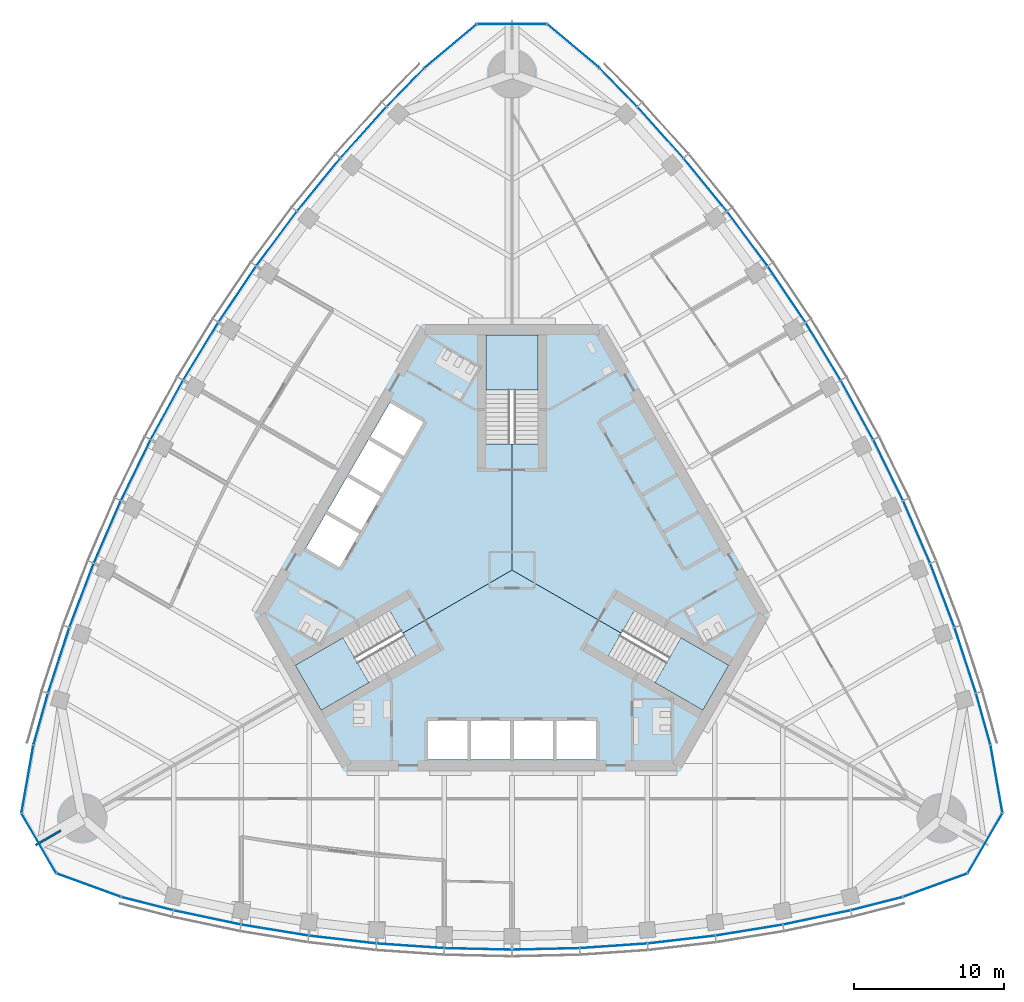
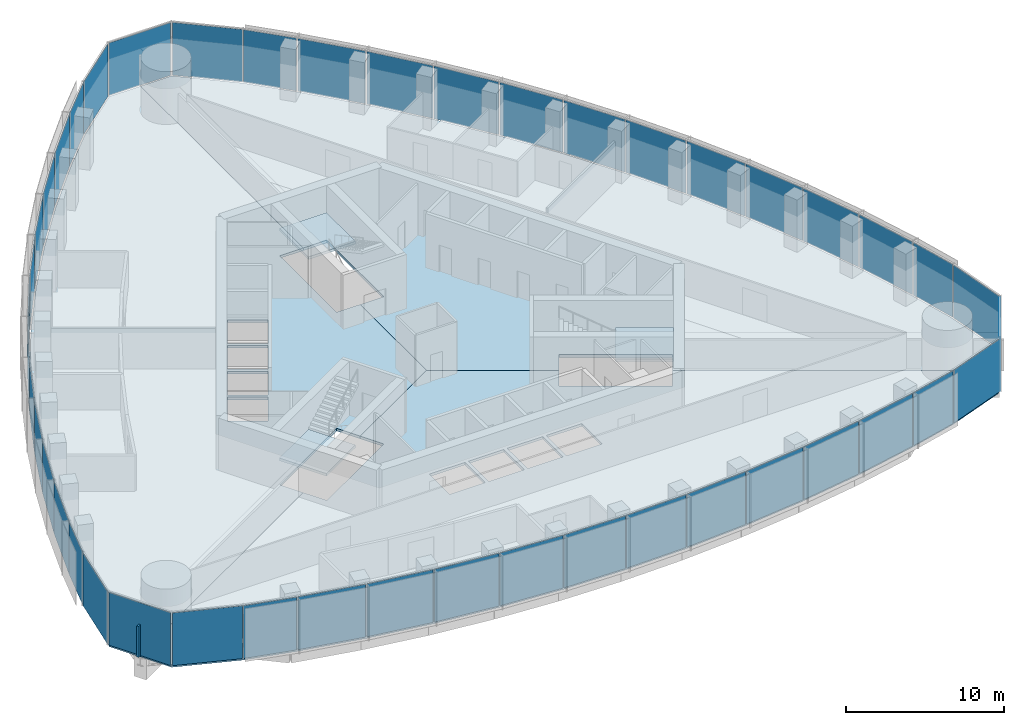
# One storey, part 10 of 19: 45 plates, 6 slabs, 1 wall, 9 elements without a shape of their own.
"""IFC4 building model written with IfcOpenShell, lengths in metres."""

from ifc_helpers import new_model, si_unit, direction, frame, frame_2d, origin, origin_2d, place, context, subcontext, project, spatial, polyline, rectangle, outline, extrude, material, layer, layer_set, type_object, element, aggregate, save


model = new_model("IFC4")

# Units and contexts
model_context = context("Model", 3, precision=1e-05, world=origin(), true_north=direction((0.0, 1.0)))
body_context = subcontext(model_context, "Body", "Model", "MODEL_VIEW")
ifc_project = project(units=[si_unit("LENGTHUNIT", "METRE"), si_unit("AREAUNIT", "SQUARE_METRE"), si_unit("VOLUMEUNIT", "CUBIC_METRE"), si_unit("PLANEANGLEUNIT", "RADIAN"), si_unit("MASSUNIT", "GRAM", prefix="KILO")], contexts=[model_context])

# Site, building, storey
site_placement = place(None, origin())
site = spatial("IfcSite", under=ifc_project, at=site_placement, CompositionType="ELEMENT")
building_placement = place(site_placement, origin())
building = spatial("IfcBuilding", under=site, at=building_placement, Name="Trefoil Bronze Tower", CompositionType="ELEMENT")
storey_placement = place(building_placement, frame((0.0, 0.0, 227.5)))
storey = spatial("IfcBuildingStorey", under=building, at=storey_placement, Name="L52", CompositionType="ELEMENT", Elevation=227.5)

# Curtain wall, plates
ifc_material_1 = material(Name="Tinted solar-control glass", Category="glass")
curtain_wall_type_1 = type_object("IfcCurtainWallType", Name="Bronze office curtain wall", PredefinedType="USERDEFINED", material=ifc_material_1)
curtain_wall_1_placement = place(storey_placement, origin())
curtain_wall_1 = element("IfcCurtainWall", 1, at=curtain_wall_1_placement, inside=storey, type_object=curtain_wall_type_1, Name="CW-A L52 F1", ObjectType="CURTAIN WALL", PredefinedType="USERDEFINED")
ifc_material_2 = material(Name="Tinted solar-control glass", Category="glass")
ifc_layer_1 = layer(ifc_material_2, 0.030029296875)
ifc_layer_set_1 = layer_set([ifc_layer_1], Name="Bronze office curtain wall glass panel")
plate_type_1 = type_object("IfcPlateType", Name="Bronze office curtain wall glass panel", PredefinedType="CURTAIN_PANEL", material=ifc_layer_set_1)
plate_1_placement = place(storey_placement, frame((-24.251220703125, -22.188232421875, 0.0), z_axis=(0.0, 0.0, 1.0), x_axis=(0.968934035393, -0.247319297786, 0.0)))
plate_1 = element("IfcPlate", 2, at=plate_1_placement, type_object=plate_type_1, Name="CW-A L52 F1 panel 1", PredefinedType="CURTAIN_PANEL", context=body_context, shape_type="SweptSolid", body=[
    extrude(rectangle(XDim=3.483642578125, YDim=0.030029296875, at=origin_2d()), origin(), (0.0, 0.0, 1.0), 4.080078125),
])
plate_2_placement = place(storey_placement, frame((-20.270751953125, -23.105224609375, 0.0), z_axis=(0.0, 0.0, 1.0), x_axis=(0.978394335897, -0.20674748725, 0.0)))
plate_2 = element("IfcPlate", 3, at=plate_2_placement, type_object=plate_type_1, Name="CW-A L52 F1 panel 2", PredefinedType="CURTAIN_PANEL", context=body_context, shape_type="SweptSolid", body=[
    extrude(rectangle(XDim=4.519287109375, YDim=0.030029296875, at=origin_2d()), origin(), (0.0, 0.0, 1.0), 4.080078125),
])
plate_3_placement = place(storey_placement, frame((-15.76611328125, -23.9482421875, 0.0), z_axis=(0.0, 0.0, 1.0), x_axis=(0.986986549528, -0.160802832848, 0.0)))
plate_3 = element("IfcPlate", 4, at=plate_3_placement, type_object=plate_type_1, Name="CW-A L52 F1 panel 3", PredefinedType="CURTAIN_PANEL", context=body_context, shape_type="SweptSolid", body=[
    extrude(rectangle(XDim=4.479248046875, YDim=0.030029296875, at=origin_2d()), origin(), (0.0, 0.0, 1.0), 4.080078125),
])
plate_4_placement = place(storey_placement, frame((-11.261474609375, -24.57568359375, 0.0), z_axis=(0.0, 0.0, 1.0), x_axis=(0.993381831741, -0.114858767043, 0.0)))
plate_4 = element("IfcPlate", 5, at=plate_4_placement, type_object=plate_type_1, Name="CW-A L52 F1 panel 4", PredefinedType="CURTAIN_PANEL", context=body_context, shape_type="SweptSolid", body=[
    extrude(rectangle(XDim=4.449951171875, YDim=0.030029296875, at=origin_2d()), origin(), (0.0, 0.0, 1.0), 4.080078125),
])
plate_5_placement = place(storey_placement, frame((-6.7568359375, -24.991455078125, 0.0), z_axis=(0.0, 0.0, 1.0), x_axis=(0.99762252804, -0.068915103905, 0.0)))
plate_5 = element("IfcPlate", 6, at=plate_5_placement, type_object=plate_type_1, Name="CW-A L52 F1 panel 5", PredefinedType="CURTAIN_PANEL", context=body_context, shape_type="SweptSolid", body=[
    extrude(rectangle(XDim=4.4306640625, YDim=0.030029296875, at=origin_2d()), origin(), (0.0, 0.0, 1.0), 4.080078125),
])
plate_6_placement = place(storey_placement, frame((-2.252197265625, -25.198974609375, 0.0), z_axis=(0.0, 0.0, 1.0), x_axis=(0.999736116243, -0.022971675577, 0.0)))
plate_6 = element("IfcPlate", 7, at=plate_6_placement, type_object=plate_type_1, Name="CW-A L52 F1 panel 6", PredefinedType="CURTAIN_PANEL", context=body_context, shape_type="SweptSolid", body=[
    extrude(rectangle(XDim=4.421142578125, YDim=0.030029296875, at=origin_2d()), origin(), (0.0, 0.0, 1.0), 4.080078125),
])
plate_7_placement = place(storey_placement, frame((2.252197265625, -25.198974609375, 0.0), z_axis=(0.0, 0.0, 1.0), x_axis=(0.999736116243, 0.022971675577, 0.0)))
plate_7 = element("IfcPlate", 8, at=plate_7_placement, type_object=plate_type_1, Name="CW-A L52 F1 panel 7", PredefinedType="CURTAIN_PANEL", context=body_context, shape_type="SweptSolid", body=[
    extrude(rectangle(XDim=4.421142578125, YDim=0.030029296875, at=origin_2d()), origin(), (0.0, 0.0, 1.0), 4.080078125),
])
plate_8_placement = place(storey_placement, frame((6.7568359375, -24.991455078125, 0.0), z_axis=(0.0, 0.0, 1.0), x_axis=(0.99762252804, 0.068915103905, 0.0)))
plate_8 = element("IfcPlate", 9, at=plate_8_placement, type_object=plate_type_1, Name="CW-A L52 F1 panel 8", PredefinedType="CURTAIN_PANEL", context=body_context, shape_type="SweptSolid", body=[
    extrude(rectangle(XDim=4.4306640625, YDim=0.030029296875, at=origin_2d()), origin(), (0.0, 0.0, 1.0), 4.080078125),
])
plate_9_placement = place(storey_placement, frame((11.261474609375, -24.57568359375, 0.0), z_axis=(0.0, 0.0, 1.0), x_axis=(0.993381831741, 0.114858767043, 0.0)))
plate_9 = element("IfcPlate", 10, at=plate_9_placement, type_object=plate_type_1, Name="CW-A L52 F1 panel 9", PredefinedType="CURTAIN_PANEL", context=body_context, shape_type="SweptSolid", body=[
    extrude(rectangle(XDim=4.449951171875, YDim=0.030029296875, at=origin_2d()), origin(), (0.0, 0.0, 1.0), 4.080078125),
])
plate_10_placement = place(storey_placement, frame((15.76611328125, -23.9482421875, 0.0), z_axis=(0.0, 0.0, 1.0), x_axis=(0.986986549528, 0.160802832848, 0.0)))
plate_10 = element("IfcPlate", 11, at=plate_10_placement, type_object=plate_type_1, Name="CW-A L52 F1 panel 10", PredefinedType="CURTAIN_PANEL", context=body_context, shape_type="SweptSolid", body=[
    extrude(rectangle(XDim=4.479248046875, YDim=0.030029296875, at=origin_2d()), origin(), (0.0, 0.0, 1.0), 4.080078125),
])
plate_11_placement = place(storey_placement, frame((20.270751953125, -23.105224609375, 0.0), z_axis=(0.0, 0.0, 1.0), x_axis=(0.978394335897, 0.20674748725, 0.0)))
plate_11 = element("IfcPlate", 12, at=plate_11_placement, type_object=plate_type_1, Name="CW-A L52 F1 panel 11", PredefinedType="CURTAIN_PANEL", context=body_context, shape_type="SweptSolid", body=[
    extrude(rectangle(XDim=4.519287109375, YDim=0.030029296875, at=origin_2d()), origin(), (0.0, 0.0, 1.0), 4.080078125),
])
plate_12_placement = place(storey_placement, frame((24.251220703125, -22.188232421875, 0.0), z_axis=(0.0, 0.0, 1.0), x_axis=(0.968934035393, 0.247319297786, 0.0)))
plate_12 = element("IfcPlate", 13, at=plate_12_placement, type_object=plate_type_1, Name="CW-A L52 F1 panel 12", PredefinedType="CURTAIN_PANEL", context=body_context, shape_type="SweptSolid", body=[
    extrude(rectangle(XDim=3.483642578125, YDim=0.030029296875, at=origin_2d()), origin(), (0.0, 0.0, 1.0), 4.080078125),
])
aggregate(curtain_wall_1, [plate_1, plate_2, plate_3, plate_4, plate_5, plate_6, plate_7, plate_8, plate_9, plate_10, plate_11, plate_12])

curtain_wall_2_placement = place(storey_placement, origin())
curtain_wall_2 = element("IfcCurtainWall", 14, at=curtain_wall_2_placement, inside=storey, type_object=curtain_wall_type_1, Name="CW-A L52 F2", ObjectType="CURTAIN WALL", PredefinedType="USERDEFINED")
plate_13_placement = place(storey_placement, frame((31.341064453125, -9.907958984375, 0.0), z_axis=(0.0, 0.0, 1.0), x_axis=(-0.270282222968, 0.962781138134, 0.0)))
plate_13 = element("IfcPlate", 15, at=plate_13_placement, type_object=plate_type_1, Name="CW-A L52 F2 panel 1", PredefinedType="CURTAIN_PANEL", context=body_context, shape_type="SweptSolid", body=[
    extrude(rectangle(XDim=3.483642578125, YDim=0.030029296875, at=origin_2d()), origin(), (0.0, 0.0, 1.0), 4.080078125),
])
plate_14_placement = place(storey_placement, frame((30.14501953125, -6.002197265625, 0.0), z_axis=(0.0, 0.0, 1.0), x_axis=(-0.310148591821, 0.950688093431, 0.0)))
plate_14 = element("IfcPlate", 16, at=plate_14_placement, type_object=plate_type_1, Name="CW-A L52 F2 panel 2", PredefinedType="CURTAIN_PANEL", context=body_context, shape_type="SweptSolid", body=[
    extrude(rectangle(XDim=4.519287109375, YDim=0.030029296875, at=origin_2d()), origin(), (0.0, 0.0, 1.0), 4.080078125),
])
plate_15_placement = place(storey_placement, frame((28.622802734375, -1.6796875, 0.0), z_axis=(0.0, 0.0, 1.0), x_axis=(-0.354233936517, 0.935156841508, 0.0)))
plate_15 = element("IfcPlate", 17, at=plate_15_placement, type_object=plate_type_1, Name="CW-A L52 F2 panel 3", PredefinedType="CURTAIN_PANEL", context=body_context, shape_type="SweptSolid", body=[
    extrude(rectangle(XDim=4.479248046875, YDim=0.030029296875, at=origin_2d()), origin(), (0.0, 0.0, 1.0), 4.080078125),
])
plate_16_placement = place(storey_placement, frame((26.913818359375, 2.53515625, 0.0), z_axis=(0.0, 0.0, 1.0), x_axis=(-0.397220305764, 0.917723285467, 0.0)))
plate_16 = element("IfcPlate", 18, at=plate_16_placement, type_object=plate_type_1, Name="CW-A L52 F2 panel 4", PredefinedType="CURTAIN_PANEL", context=body_context, shape_type="SweptSolid", body=[
    extrude(rectangle(XDim=4.449951171875, YDim=0.030029296875, at=origin_2d()), origin(), (0.0, 0.0, 1.0), 4.080078125),
])
plate_17_placement = place(storey_placement, frame((25.021728515625, 6.64404296875, 0.0), z_axis=(0.0, 0.0, 1.0), x_axis=(-0.439129033334, 0.898424004623, 0.0)))
plate_17 = element("IfcPlate", 19, at=plate_17_placement, type_object=plate_type_1, Name="CW-A L52 F2 panel 5", PredefinedType="CURTAIN_PANEL", context=body_context, shape_type="SweptSolid", body=[
    extrude(rectangle(XDim=4.4306640625, YDim=0.030029296875, at=origin_2d()), origin(), (0.0, 0.0, 1.0), 4.080078125),
])
plate_18_placement = place(storey_placement, frame((22.948974609375, 10.64892578125, 0.0), z_axis=(0.0, 0.0, 1.0), x_axis=(-0.479974003504, 0.877282711536, 0.0)))
plate_18 = element("IfcPlate", 20, at=plate_18_placement, type_object=plate_type_1, Name="CW-A L52 F2 panel 6", PredefinedType="CURTAIN_PANEL", context=body_context, shape_type="SweptSolid", body=[
    extrude(rectangle(XDim=4.421142578125, YDim=0.030029296875, at=origin_2d()), origin(), (0.0, 0.0, 1.0), 4.080078125),
])
plate_19_placement = place(storey_placement, frame((20.69677734375, 14.550048828125, 0.0), z_axis=(0.0, 0.0, 1.0), x_axis=(-0.519762112739, 0.854311035959, 0.0)))
plate_19 = element("IfcPlate", 21, at=plate_19_placement, type_object=plate_type_1, Name="CW-A L52 F2 panel 7", PredefinedType="CURTAIN_PANEL", context=body_context, shape_type="SweptSolid", body=[
    extrude(rectangle(XDim=4.421142578125, YDim=0.030029296875, at=origin_2d()), origin(), (0.0, 0.0, 1.0), 4.080078125),
])
plate_20_placement = place(storey_placement, frame((18.264892578125, 18.347412109375, 0.0), z_axis=(0.0, 0.0, 1.0), x_axis=(-0.558493494706, 0.829508900718, 0.0)))
plate_20 = element("IfcPlate", 22, at=plate_20_placement, type_object=plate_type_1, Name="CW-A L52 F2 panel 8", PredefinedType="CURTAIN_PANEL", context=body_context, shape_type="SweptSolid", body=[
    extrude(rectangle(XDim=4.4306640625, YDim=0.030029296875, at=origin_2d()), origin(), (0.0, 0.0, 1.0), 4.080078125),
])
plate_21_placement = place(storey_placement, frame((15.65234375, 22.04052734375, 0.0), z_axis=(0.0, 0.0, 1.0), x_axis=(-0.596161525977, 0.802864518425, 0.0)))
plate_21 = element("IfcPlate", 23, at=plate_21_placement, type_object=plate_type_1, Name="CW-A L52 F2 panel 9", PredefinedType="CURTAIN_PANEL", context=body_context, shape_type="SweptSolid", body=[
    extrude(rectangle(XDim=4.449951171875, YDim=0.030029296875, at=origin_2d()), origin(), (0.0, 0.0, 1.0), 4.080078125),
])
plate_22_placement = place(storey_placement, frame((12.856689453125, 25.6279296875, 0.0), z_axis=(0.0, 0.0, 1.0), x_axis=(-0.63275261301, 0.774354008661, 0.0)))
plate_22 = element("IfcPlate", 24, at=plate_22_placement, type_object=plate_type_1, Name="CW-A L52 F2 panel 10", PredefinedType="CURTAIN_PANEL", context=body_context, shape_type="SweptSolid", body=[
    extrude(rectangle(XDim=4.479248046875, YDim=0.030029296875, at=origin_2d()), origin(), (0.0, 0.0, 1.0), 4.080078125),
])
plate_23_placement = place(storey_placement, frame((9.87451171875, 29.107666015625, 0.0), z_axis=(0.0, 0.0, 1.0), x_axis=(-0.668245744076, 0.743940606181, 0.0)))
plate_23 = element("IfcPlate", 25, at=plate_23_placement, type_object=plate_type_1, Name="CW-A L52 F2 panel 11", PredefinedType="CURTAIN_PANEL", context=body_context, shape_type="SweptSolid", body=[
    extrude(rectangle(XDim=4.519287109375, YDim=0.030029296875, at=origin_2d()), origin(), (0.0, 0.0, 1.0), 4.080078125),
])
plate_24_placement = place(storey_placement, frame((7.08984375, 32.09619140625, 0.0), z_axis=(0.0, 0.0, 1.0), x_axis=(-0.698651812425, 0.715461840349, 0.0)))
plate_24 = element("IfcPlate", 26, at=plate_24_placement, type_object=plate_type_1, Name="CW-A L52 F2 panel 12", PredefinedType="CURTAIN_PANEL", context=body_context, shape_type="SweptSolid", body=[
    extrude(rectangle(XDim=3.483642578125, YDim=0.030029296875, at=origin_2d()), origin(), (0.0, 0.0, 1.0), 4.080078125),
])
aggregate(curtain_wall_2, [plate_13, plate_14, plate_15, plate_16, plate_17, plate_18, plate_19, plate_20, plate_21, plate_22, plate_23, plate_24])

curtain_wall_3_placement = place(storey_placement, origin())
curtain_wall_3 = element("IfcCurtainWall", 27, at=curtain_wall_3_placement, inside=storey, type_object=curtain_wall_type_1, Name="CW-A L52 F3", ObjectType="CURTAIN WALL", PredefinedType="USERDEFINED")
plate_25_placement = place(storey_placement, frame((-7.08984375, 32.09619140625, 0.0), z_axis=(0.0, 0.0, 1.0), x_axis=(-0.698651812425, -0.715461840349, 0.0)))
plate_25 = element("IfcPlate", 28, at=plate_25_placement, type_object=plate_type_1, Name="CW-A L52 F3 panel 1", PredefinedType="CURTAIN_PANEL", context=body_context, shape_type="SweptSolid", body=[
    extrude(rectangle(XDim=3.483642578125, YDim=0.030029296875, at=origin_2d()), origin(), (0.0, 0.0, 1.0), 4.080078125),
])
plate_26_placement = place(storey_placement, frame((-9.87451171875, 29.107666015625, 0.0), z_axis=(0.0, 0.0, 1.0), x_axis=(-0.668245744076, -0.743940606181, 0.0)))
plate_26 = element("IfcPlate", 29, at=plate_26_placement, type_object=plate_type_1, Name="CW-A L52 F3 panel 2", PredefinedType="CURTAIN_PANEL", context=body_context, shape_type="SweptSolid", body=[
    extrude(rectangle(XDim=4.519287109375, YDim=0.030029296875, at=origin_2d()), origin(), (0.0, 0.0, 1.0), 4.080078125),
])
plate_27_placement = place(storey_placement, frame((-12.856689453125, 25.6279296875, 0.0), z_axis=(0.0, 0.0, 1.0), x_axis=(-0.63275261301, -0.774354008661, 0.0)))
plate_27 = element("IfcPlate", 30, at=plate_27_placement, type_object=plate_type_1, Name="CW-A L52 F3 panel 3", PredefinedType="CURTAIN_PANEL", context=body_context, shape_type="SweptSolid", body=[
    extrude(rectangle(XDim=4.479248046875, YDim=0.030029296875, at=origin_2d()), origin(), (0.0, 0.0, 1.0), 4.080078125),
])
plate_28_placement = place(storey_placement, frame((-15.65234375, 22.04052734375, 0.0), z_axis=(0.0, 0.0, 1.0), x_axis=(-0.596161525977, -0.802864518425, 0.0)))
plate_28 = element("IfcPlate", 31, at=plate_28_placement, type_object=plate_type_1, Name="CW-A L52 F3 panel 4", PredefinedType="CURTAIN_PANEL", context=body_context, shape_type="SweptSolid", body=[
    extrude(rectangle(XDim=4.449951171875, YDim=0.030029296875, at=origin_2d()), origin(), (0.0, 0.0, 1.0), 4.080078125),
])
plate_29_placement = place(storey_placement, frame((-18.264892578125, 18.347412109375, 0.0), z_axis=(0.0, 0.0, 1.0), x_axis=(-0.558493494706, -0.829508900718, 0.0)))
plate_29 = element("IfcPlate", 32, at=plate_29_placement, type_object=plate_type_1, Name="CW-A L52 F3 panel 5", PredefinedType="CURTAIN_PANEL", context=body_context, shape_type="SweptSolid", body=[
    extrude(rectangle(XDim=4.4306640625, YDim=0.030029296875, at=origin_2d()), origin(), (0.0, 0.0, 1.0), 4.080078125),
])
plate_30_placement = place(storey_placement, frame((-20.69677734375, 14.550048828125, 0.0), z_axis=(0.0, 0.0, 1.0), x_axis=(-0.519762112739, -0.854311035959, 0.0)))
plate_30 = element("IfcPlate", 33, at=plate_30_placement, type_object=plate_type_1, Name="CW-A L52 F3 panel 6", PredefinedType="CURTAIN_PANEL", context=body_context, shape_type="SweptSolid", body=[
    extrude(rectangle(XDim=4.421142578125, YDim=0.030029296875, at=origin_2d()), origin(), (0.0, 0.0, 1.0), 4.080078125),
])
plate_31_placement = place(storey_placement, frame((-22.948974609375, 10.64892578125, 0.0), z_axis=(0.0, 0.0, 1.0), x_axis=(-0.479974003504, -0.877282711536, 0.0)))
plate_31 = element("IfcPlate", 34, at=plate_31_placement, type_object=plate_type_1, Name="CW-A L52 F3 panel 7", PredefinedType="CURTAIN_PANEL", context=body_context, shape_type="SweptSolid", body=[
    extrude(rectangle(XDim=4.421142578125, YDim=0.030029296875, at=origin_2d()), origin(), (0.0, 0.0, 1.0), 4.080078125),
])
plate_32_placement = place(storey_placement, frame((-25.021728515625, 6.64404296875, 0.0), z_axis=(0.0, 0.0, 1.0), x_axis=(-0.439129033334, -0.898424004623, 0.0)))
plate_32 = element("IfcPlate", 35, at=plate_32_placement, type_object=plate_type_1, Name="CW-A L52 F3 panel 8", PredefinedType="CURTAIN_PANEL", context=body_context, shape_type="SweptSolid", body=[
    extrude(rectangle(XDim=4.4306640625, YDim=0.030029296875, at=origin_2d()), origin(), (0.0, 0.0, 1.0), 4.080078125),
])
plate_33_placement = place(storey_placement, frame((-26.913818359375, 2.53515625, 0.0), z_axis=(0.0, 0.0, 1.0), x_axis=(-0.397220305764, -0.917723285467, 0.0)))
plate_33 = element("IfcPlate", 36, at=plate_33_placement, type_object=plate_type_1, Name="CW-A L52 F3 panel 9", PredefinedType="CURTAIN_PANEL", context=body_context, shape_type="SweptSolid", body=[
    extrude(rectangle(XDim=4.449951171875, YDim=0.030029296875, at=origin_2d()), origin(), (0.0, 0.0, 1.0), 4.080078125),
])
plate_34_placement = place(storey_placement, frame((-28.622802734375, -1.6796875, 0.0), z_axis=(0.0, 0.0, 1.0), x_axis=(-0.354233936517, -0.935156841508, 0.0)))
plate_34 = element("IfcPlate", 37, at=plate_34_placement, type_object=plate_type_1, Name="CW-A L52 F3 panel 10", PredefinedType="CURTAIN_PANEL", context=body_context, shape_type="SweptSolid", body=[
    extrude(rectangle(XDim=4.479248046875, YDim=0.030029296875, at=origin_2d()), origin(), (0.0, 0.0, 1.0), 4.080078125),
])
plate_35_placement = place(storey_placement, frame((-30.14501953125, -6.002197265625, 0.0), z_axis=(0.0, 0.0, 1.0), x_axis=(-0.310148591821, -0.950688093431, 0.0)))
plate_35 = element("IfcPlate", 38, at=plate_35_placement, type_object=plate_type_1, Name="CW-A L52 F3 panel 11", PredefinedType="CURTAIN_PANEL", context=body_context, shape_type="SweptSolid", body=[
    extrude(rectangle(XDim=4.519287109375, YDim=0.030029296875, at=origin_2d()), origin(), (0.0, 0.0, 1.0), 4.080078125),
])
plate_36_placement = place(storey_placement, frame((-31.341064453125, -9.907958984375, 0.0), z_axis=(0.0, 0.0, 1.0), x_axis=(-0.270282222968, -0.962781138134, 0.0)))
plate_36 = element("IfcPlate", 39, at=plate_36_placement, type_object=plate_type_1, Name="CW-A L52 F3 panel 12", PredefinedType="CURTAIN_PANEL", context=body_context, shape_type="SweptSolid", body=[
    extrude(rectangle(XDim=3.483642578125, YDim=0.030029296875, at=origin_2d()), origin(), (0.0, 0.0, 1.0), 4.080078125),
])
aggregate(curtain_wall_3, [plate_25, plate_26, plate_27, plate_28, plate_29, plate_30, plate_31, plate_32, plate_33, plate_34, plate_35, plate_36])

ifc_material_3 = material(Name="Tinted solar-control glass", Category="glass")
curtain_wall_type_2 = type_object("IfcCurtainWallType", Name="Bronze rounded corner curtain wall", PredefinedType="USERDEFINED", material=ifc_material_3)
curtain_wall_4_placement = place(storey_placement, origin())
curtain_wall_4 = element("IfcCurtainWall", 40, at=curtain_wall_4_placement, inside=storey, type_object=curtain_wall_type_2, Name="CW-B L52 K1", ObjectType="CURTAIN WALL", PredefinedType="USERDEFINED")
ifc_material_4 = material(Name="Tinted solar-control glass", Category="glass")
ifc_layer_2 = layer(ifc_material_4, 0.030029296875)
ifc_layer_set_2 = layer_set([ifc_layer_2], Name="Bronze rounded corner curtain wall glass panel")
plate_type_2 = type_object("IfcPlateType", Name="Bronze rounded corner curtain wall glass panel", PredefinedType="CURTAIN_PANEL", material=ifc_layer_set_2)
plate_37_placement = place(storey_placement, frame((28.1298828125, -20.96484375, 0.0), z_axis=(0.0, 0.0, 1.0), x_axis=(0.939692620786, 0.342020143326, 0.0)))
plate_37 = element("IfcPlate", 41, at=plate_37_placement, type_object=plate_type_2, Name="CW-B L52 K1 panel 1", PredefinedType="CURTAIN_PANEL", context=body_context, shape_type="SweptSolid", body=[
    extrude(rectangle(XDim=4.500244140625, YDim=0.030029296875, at=origin_2d()), origin(), (0.0, 0.0, 1.0), 4.080078125),
])
plate_38_placement = place(storey_placement, frame((31.46484375, -18.166259765625, 0.0), z_axis=(0.0, 0.0, 1.0), x_axis=(0.5, 0.866025403784, 0.0)))
plate_38 = element("IfcPlate", 42, at=plate_38_placement, type_object=plate_type_2, Name="CW-B L52 K1 panel 2", PredefinedType="CURTAIN_PANEL", context=body_context, shape_type="SweptSolid", body=[
    extrude(rectangle(XDim=4.500244140625, YDim=0.030029296875, at=origin_2d()), origin(), (0.0, 0.0, 1.0), 4.080078125),
])
plate_39_placement = place(storey_placement, frame((32.220947265625, -13.878662109375, 0.0), z_axis=(0.0, 0.0, 1.0), x_axis=(-0.173648177667, 0.984807753012, 0.0)))
plate_39 = element("IfcPlate", 43, at=plate_39_placement, type_object=plate_type_2, Name="CW-B L52 K1 panel 3", PredefinedType="CURTAIN_PANEL", context=body_context, shape_type="SweptSolid", body=[
    extrude(rectangle(XDim=4.500244140625, YDim=0.030029296875, at=origin_2d()), origin(), (0.0, 0.0, 1.0), 4.080078125),
])
aggregate(curtain_wall_4, [plate_37, plate_38, plate_39])

curtain_wall_5_placement = place(storey_placement, origin())
curtain_wall_5 = element("IfcCurtainWall", 44, at=curtain_wall_5_placement, inside=storey, type_object=curtain_wall_type_2, Name="CW-B L52 K2", ObjectType="CURTAIN WALL", PredefinedType="USERDEFINED")
plate_40_placement = place(storey_placement, frame((4.091064453125, 34.843505859375, 0.0), z_axis=(0.0, 0.0, 1.0), x_axis=(-0.766044443119, 0.642787609687, 0.0)))
plate_40 = element("IfcPlate", 45, at=plate_40_placement, type_object=plate_type_2, Name="CW-B L52 K2 panel 1", PredefinedType="CURTAIN_PANEL", context=body_context, shape_type="SweptSolid", body=[
    extrude(rectangle(XDim=4.500244140625, YDim=0.030029296875, at=origin_2d()), origin(), (0.0, 0.0, 1.0), 4.080078125),
])
plate_41_placement = place(storey_placement, frame((0.0, 36.33251953125, 0.0), z_axis=(0.0, 0.0, 1.0), x_axis=(-1.0, 0.0, 0.0)))
plate_41 = element("IfcPlate", 46, at=plate_41_placement, type_object=plate_type_2, Name="CW-B L52 K2 panel 2", PredefinedType="CURTAIN_PANEL", context=body_context, shape_type="SweptSolid", body=[
    extrude(rectangle(XDim=4.500244140625, YDim=0.030029296875, at=origin_2d()), origin(), (0.0, 0.0, 1.0), 4.080078125),
])
plate_42_placement = place(storey_placement, frame((-4.091064453125, 34.843505859375, 0.0), z_axis=(0.0, 0.0, 1.0), x_axis=(-0.766044443119, -0.642787609687, 0.0)))
plate_42 = element("IfcPlate", 47, at=plate_42_placement, type_object=plate_type_2, Name="CW-B L52 K2 panel 3", PredefinedType="CURTAIN_PANEL", context=body_context, shape_type="SweptSolid", body=[
    extrude(rectangle(XDim=4.500244140625, YDim=0.030029296875, at=origin_2d()), origin(), (0.0, 0.0, 1.0), 4.080078125),
])
aggregate(curtain_wall_5, [plate_40, plate_41, plate_42])

curtain_wall_6_placement = place(storey_placement, origin())
curtain_wall_6 = element("IfcCurtainWall", 48, at=curtain_wall_6_placement, inside=storey, type_object=curtain_wall_type_2, Name="CW-B L52 K3", ObjectType="CURTAIN WALL", PredefinedType="USERDEFINED")
plate_43_placement = place(storey_placement, frame((-32.220947265625, -13.878662109375, 0.0), z_axis=(0.0, 0.0, 1.0), x_axis=(-0.173648177667, -0.984807753012, 0.0)))
plate_43 = element("IfcPlate", 49, at=plate_43_placement, type_object=plate_type_2, Name="CW-B L52 K3 panel 1", PredefinedType="CURTAIN_PANEL", context=body_context, shape_type="SweptSolid", body=[
    extrude(rectangle(XDim=4.500244140625, YDim=0.030029296875, at=origin_2d()), origin(), (0.0, 0.0, 1.0), 4.080078125),
])
plate_44_placement = place(storey_placement, frame((-31.46484375, -18.166259765625, 0.0), z_axis=(0.0, 0.0, 1.0), x_axis=(0.5, -0.866025403784, 0.0)))
plate_44 = element("IfcPlate", 50, at=plate_44_placement, type_object=plate_type_2, Name="CW-B L52 K3 panel 2", PredefinedType="CURTAIN_PANEL", context=body_context, shape_type="SweptSolid", body=[
    extrude(rectangle(XDim=4.500244140625, YDim=0.030029296875, at=origin_2d()), origin(), (0.0, 0.0, 1.0), 4.080078125),
])
plate_45_placement = place(storey_placement, frame((-28.1298828125, -20.96484375, 0.0), z_axis=(0.0, 0.0, 1.0), x_axis=(0.939692620786, -0.342020143326, 0.0)))
plate_45 = element("IfcPlate", 51, at=plate_45_placement, type_object=plate_type_2, Name="CW-B L52 K3 panel 3", PredefinedType="CURTAIN_PANEL", context=body_context, shape_type="SweptSolid", body=[
    extrude(rectangle(XDim=4.500244140625, YDim=0.030029296875, at=origin_2d()), origin(), (0.0, 0.0, 1.0), 4.080078125),
])
aggregate(curtain_wall_6, [plate_43, plate_44, plate_45])

# Slabs
ifc_material_5 = material(Name="Concrete B30", Category="concrete")
ifc_layer_3 = layer(ifc_material_5, 0.199951171875)
ifc_layer_set_3 = layer_set([ifc_layer_3], Name="Floor slab 200")
slab_type_1 = type_object("IfcSlabType", Name="Floor slab 200", PredefinedType="FLOOR", material=ifc_layer_set_3)
slab_1_placement = place(storey_placement, frame((0.0, 0.0, -0.199951171875)))
element("IfcSlab", 52, at=slab_1_placement, inside=storey, type_object=slab_type_1, Name="Floor slab L52 face 1", PredefinedType="FLOOR", context=body_context, shape_type="SweptSolid", body=[
    extrude(outline(polyline([(18.0, -23.48291015625), (13.5, -24.216064453125), (9.0, -24.736328125), (4.5, -25.047119140625), (0.0, -25.150634765625), (-4.5, -25.047119140625), (-9.0, -24.736328125), (-13.5, -24.216064453125), (-18.0, -23.48291015625), (-22.5, -22.531982421875), (-25.952880859375, -21.650634765625), (-30.23828125, -20.0908203125), (-31.37841796875, -18.1162109375), (-13.510009765625, -7.800048828125), (-12.6474609375, -9.2939453125), (-6.412109375, -5.69384765625), (-7.274658203125, -4.199951171875), (0.0, 0.0), (7.274658203125, -4.199951171875), (6.412109375, -5.69384765625), (12.6474609375, -9.2939453125), (13.510009765625, -7.800048828125), (31.37841796875, -18.1162109375), (30.23828125, -20.0908203125), (25.952880859375, -21.650634765625), (22.5, -22.531982421875), (18.0, -23.48291015625)]), holes=[polyline([(-5.574951171875, -10.02490234375), (-2.97509765625, -10.02490234375), (-2.97509765625, -12.60009765625), (-5.574951171875, -12.60009765625), (-5.574951171875, -10.02490234375)]), polyline([(-2.72509765625, -10.02490234375), (-0.125, -10.02490234375), (-0.125, -12.60009765625), (-2.72509765625, -12.60009765625), (-2.72509765625, -10.02490234375)]), polyline([(0.125, -10.02490234375), (2.72509765625, -10.02490234375), (2.72509765625, -12.60009765625), (0.125, -12.60009765625), (0.125, -10.02490234375)]), polyline([(2.97509765625, -10.02490234375), (5.574951171875, -10.02490234375), (5.574951171875, -12.60009765625), (2.97509765625, -12.60009765625), (2.97509765625, -10.02490234375)])]), origin(), (0.0, 0.0, 1.0), 0.199951171875),
])
slab_2_placement = place(storey_placement, frame((0.0, 0.0, -0.199951171875)))
element("IfcSlab", 53, at=slab_2_placement, inside=storey, type_object=slab_type_1, Name="Floor slab L52 face 2", PredefinedType="FLOOR", context=body_context, shape_type="SweptSolid", body=[
    extrude(outline(polyline([(11.3369140625, 27.329833984375), (14.2216796875, 23.79931640625), (16.92236328125, 20.162353515625), (19.441650390625, 16.420654296875), (21.781005859375, 12.575439453125), (23.941650390625, 8.62646484375), (25.92236328125, 4.573974609375), (27.7216796875, 0.416748046875), (29.3369140625, -3.846923828125), (30.76318359375, -8.219482421875), (31.7265625, -11.650634765625), (32.518310546875, -16.1416015625), (31.37841796875, -18.1162109375), (13.510009765625, -7.800048828125), (14.37255859375, -6.30615234375), (8.13720703125, -2.7060546875), (7.274658203125, -4.199951171875), (0.0, 0.0), (0.0, 8.39990234375), (1.72509765625, 8.39990234375), (1.72509765625, 15.60009765625), (0.0, 15.60009765625), (0.0, 36.232666015625), (2.280029296875, 36.232666015625), (5.7734375, 33.30126953125), (8.26318359375, 30.75146484375), (11.3369140625, 27.329833984375)])), origin(), (0.0, 0.0, 1.0), 0.199951171875),
])
slab_3_placement = place(storey_placement, frame((0.0, 0.0, -0.199951171875)))
element("IfcSlab", 54, at=slab_3_placement, inside=storey, type_object=slab_type_1, Name="Floor slab L52 face 3", PredefinedType="FLOOR", context=body_context, shape_type="SweptSolid", body=[
    extrude(outline(polyline([(-29.3369140625, -3.846923828125), (-27.7216796875, 0.416748046875), (-25.92236328125, 4.573974609375), (-23.941650390625, 8.62646484375), (-21.781005859375, 12.575439453125), (-19.441650390625, 16.420654296875), (-16.92236328125, 20.162353515625), (-14.2216796875, 23.79931640625), (-11.3369140625, 27.329833984375), (-8.26318359375, 30.75146484375), (-5.7734375, 33.30126953125), (-2.280029296875, 36.232666015625), (0.0, 36.232666015625), (0.0, 15.60009765625), (-1.72509765625, 15.60009765625), (-1.72509765625, 8.39990234375), (0.0, 8.39990234375), (0.0, 0.0), (-7.274658203125, -4.199951171875), (-8.13720703125, -2.7060546875), (-14.37255859375, -6.30615234375), (-13.510009765625, -7.800048828125), (-31.37841796875, -18.1162109375), (-32.518310546875, -16.1416015625), (-31.7265625, -11.650634765625), (-30.76318359375, -8.219482421875), (-29.3369140625, -3.846923828125)]), holes=[polyline([(-5.894287109375, 9.840576171875), (-7.1943359375, 7.5888671875), (-9.42431640625, 8.87646484375), (-8.12451171875, 11.128173828125), (-5.894287109375, 9.840576171875)]), polyline([(-7.3193359375, 7.372314453125), (-8.619384765625, 5.120849609375), (-10.849365234375, 6.408203125), (-9.54931640625, 8.659912109375), (-7.3193359375, 7.372314453125)]), polyline([(-8.744384765625, 4.904296875), (-10.04443359375, 2.652587890625), (-12.2744140625, 3.940185546875), (-10.974365234375, 6.191650390625), (-8.744384765625, 4.904296875)]), polyline([(-10.16943359375, 2.43603515625), (-11.469482421875, 0.184326171875), (-13.699462890625, 1.471923828125), (-12.3994140625, 3.7236328125), (-10.16943359375, 2.43603515625)])]), origin(), (0.0, 0.0, 1.0), 0.199951171875),
])

# Stair, slab
ifc_material_6 = material(Name="Precast concrete B80", Category="concrete")
stair_type = type_object("IfcStairType", Name="Exit stair 26 risers", PredefinedType="HALF_TURN_STAIR", material=ifc_material_6)
stair_1_placement = place(storey_placement, origin())
stair_1 = element("IfcStair", 55, at=stair_1_placement, inside=storey, type_object=stair_type, Name="Stair ST1 L52", PredefinedType="HALF_TURN_STAIR")
ifc_material_7 = material(Name="Concrete B30", Category="concrete")
ifc_layer_4 = layer(ifc_material_7, 0.199951171875)
ifc_layer_set_4 = layer_set([ifc_layer_4], Name="Stair landing 200")
slab_type_2 = type_object("IfcSlabType", Name="Stair landing 200", PredefinedType="LANDING", material=ifc_layer_set_4)
slab_4_placement = place(storey_placement, frame((0.0, 0.0, 1.89990234375)))
slab_4 = element("IfcSlab", 56, at=slab_4_placement, type_object=slab_type_2, Name="ST1 landing 1", PredefinedType="LANDING", context=body_context, shape_type="SweptSolid", body=[
    extrude(outline(polyline([(9.512451171875, -7.48388671875), (12.69091796875, -9.31884765625), (14.415771484375, -6.3310546875), (11.237548828125, -4.49609375), (9.512451171875, -7.48388671875)])), origin(), (0.0, 0.0, 1.0), 0.2001953125),
])
aggregate(stair_1, [slab_4])

stair_2_placement = place(storey_placement, origin())
stair_2 = element("IfcStair", 57, at=stair_2_placement, inside=storey, type_object=stair_type, Name="Stair ST2 L52", PredefinedType="HALF_TURN_STAIR")
slab_5_placement = place(storey_placement, frame((0.0, 0.0, 1.89990234375)))
slab_5 = element("IfcSlab", 58, at=slab_5_placement, type_object=slab_type_2, Name="ST2 landing 1", PredefinedType="LANDING", context=body_context, shape_type="SweptSolid", body=[
    extrude(outline(polyline([(1.72509765625, 11.97998046875), (1.72509765625, 15.64990234375), (-1.72509765625, 15.64990234375), (-1.72509765625, 11.97998046875), (1.72509765625, 11.97998046875)])), origin(), (0.0, 0.0, 1.0), 0.2001953125),
])
aggregate(stair_2, [slab_5])

stair_3_placement = place(storey_placement, origin())
stair_3 = element("IfcStair", 59, at=stair_3_placement, inside=storey, type_object=stair_type, Name="Stair ST3 L52", PredefinedType="HALF_TURN_STAIR")
slab_6_placement = place(storey_placement, frame((0.0, 0.0, 1.89990234375)))
slab_6 = element("IfcSlab", 60, at=slab_6_placement, type_object=slab_type_2, Name="ST3 landing 1", PredefinedType="LANDING", context=body_context, shape_type="SweptSolid", body=[
    extrude(outline(polyline([(-11.237548828125, -4.49609375), (-14.415771484375, -6.3310546875), (-12.69091796875, -9.31884765625), (-9.512451171875, -7.48388671875), (-11.237548828125, -4.49609375)])), origin(), (0.0, 0.0, 1.0), 0.2001953125),
])
aggregate(stair_3, [slab_6])

# Wall
ifc_material_8 = material(Name="Gypsum board on steel studs", Category="steel")
ifc_layer_5 = layer(ifc_material_8, 0.14990234375)
ifc_layer_set_5 = layer_set([ifc_layer_5], Name="Party wall 150")
wall_type = type_object("IfcWallType", Name="Party wall 150", PredefinedType="PARTITIONING", material=ifc_layer_set_5)
wall_placement = place(storey_placement, frame((-30.0078125, -17.324951171875, 0.0), z_axis=(0.0, 0.0, 1.0), x_axis=(-0.866013246922, -0.500021055713, 0.0)))
element("IfcWall", 61, at=wall_placement, inside=storey, type_object=wall_type, Name="Party wall K3 L52", PredefinedType="PARTITIONING", context=body_context, shape_type="SweptSolid", body=[
    extrude(rectangle(XDim=1.9345703125, YDim=0.14990234375, at=frame_2d((0.96728515625, 0.0))), origin(), (0.0, 0.0, 1.0), 2.39990234375),
])

save(model, "model.ifc")
